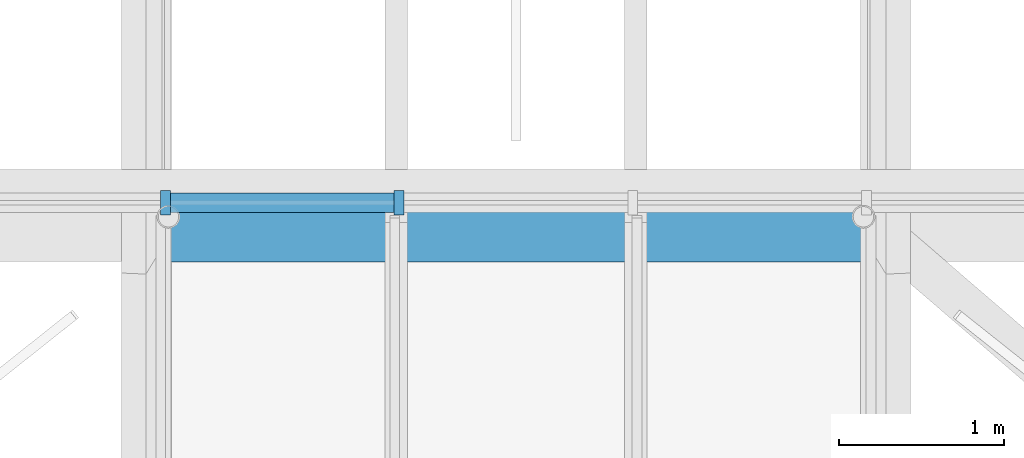
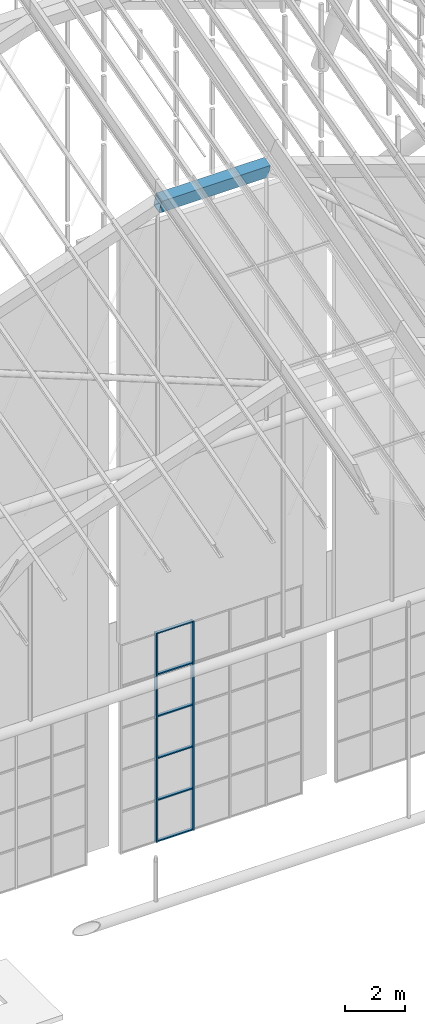
# One storey, part 57 of 126: 8 members, 1 beam, 1 element without a shape of its own.
"""IFC4 building model written with IfcOpenShell, lengths in metres."""

from ifc_helpers import new_model, si_unit, direction, frame, origin, origin_2d, place, context, subcontext, project, spatial, polyline, rectangle, outline, extrude, material, material_profile, profile_set, type_object, element, aggregate, save


model = new_model("IFC4")

# Units and contexts
model_context = context("Model", 3, precision=1e-05, world=origin(), true_north=direction((0.0, 1.0)))
body_context = subcontext(model_context, "Body", "Model", "MODEL_VIEW")
ifc_project = project(units=[si_unit("LENGTHUNIT", "METRE"), si_unit("AREAUNIT", "SQUARE_METRE"), si_unit("VOLUMEUNIT", "CUBIC_METRE"), si_unit("PLANEANGLEUNIT", "RADIAN"), si_unit("MASSUNIT", "GRAM", prefix="KILO")], contexts=[model_context])

# Site, building, storey
site_placement = place(None, origin())
site = spatial("IfcSite", under=ifc_project, at=site_placement, CompositionType="ELEMENT")
building_placement = place(site_placement, origin())
building = spatial("IfcBuilding", under=site, at=building_placement, Name="Sava Quay Ferry Terminal", CompositionType="ELEMENT")
storey_placement = place(building_placement, frame((0.0, 0.0, 15.0)))
storey = spatial("IfcBuildingStorey", under=building, at=storey_placement, Name="L03", CompositionType="ELEMENT", Elevation=15.0)

# Beam
ifc_material_1 = material(Name="Steel S355", Category="steel")
ifc_material_profile_1 = material_profile(ifc_material_1, outline(polyline([(-0.199951171875, -0.300048828125), (0.199951171875, -0.300048828125), (0.199951171875, 0.300048828125), (-0.199951171875, 0.300048828125), (-0.199951171875, -0.300048828125)]), holes=[polyline([(-0.175048828125, -0.27490234375), (-0.175048828125, 0.27490234375), (0.175048828125, 0.27490234375), (0.175048828125, -0.27490234375), (-0.175048828125, -0.27490234375)])]), Name="Box 600x400x25 built-up")
ifc_profile_set_1 = profile_set([ifc_material_profile_1], Name="Steel S355")
beam_type = type_object("IfcBeamType", Name="D folded rib Box 600x400x25", PredefinedType="BEAM", material=ifc_profile_set_1)
beam_placement = place(storey_placement, frame((60.89990234375, 100.800048828125, 26.122314453125), z_axis=(1.0, 0.0, 0.0), x_axis=(0.0, 0.964556832817, 0.263875190699)))
element("IfcBeam", 1, at=beam_placement, inside=storey, type_object=beam_type, Name="Departure hall folded rib R6 seg 3", PredefinedType="BEAM", context=body_context, shape_type="SweptSolid", body=[
    extrude(outline(polyline([(-0.199951171875, -0.300048828125), (0.199951171875, -0.300048828125), (0.199951171875, 0.300048828125), (-0.199951171875, 0.300048828125), (-0.199951171875, -0.300048828125)]), holes=[polyline([(-0.175048828125, -0.27490234375), (-0.175048828125, 0.27490234375), (0.175048828125, 0.27490234375), (0.175048828125, -0.27490234375), (-0.175048828125, -0.27490234375)])]), origin(), (0.0, 0.0, 1.0), 4.2001953125),
])

# Curtain wall, members
ifc_material_2 = material(Name="Aluminium and glass curtain wall, double low-e glazed", Category="aluminium")
curtain_wall_type = type_object("IfcCurtainWallType", Name="Curtain wall CW-G gable", PredefinedType="NOTDEFINED", material=ifc_material_2)
curtain_wall_placement = place(storey_placement, origin())
curtain_wall = element("IfcCurtainWall", 2, at=curtain_wall_placement, inside=storey, type_object=curtain_wall_type, Name="Curtain wall D-N L03 bay 31", PredefinedType="NOTDEFINED")
ifc_material_3 = material(Name="Aluminium EN AW-6063 T6", Category="aluminium")
ifc_material_profile_2 = material_profile(ifc_material_3, rectangle(XDim=0.14990234375, YDim=0.06005859375, at=origin_2d()), Name="Mullion 60x150 aluminium")
ifc_profile_set_2 = profile_set([ifc_material_profile_2], Name="Aluminium EN AW-6063 T6")
member_type_1 = type_object("IfcMemberType", Name="Mullion 60x150 aluminium", PredefinedType="MULLION", material=ifc_profile_set_2)
member_1_placement = place(storey_placement, frame((60.882080078125, 100.885009765625, 0.0), z_axis=(0.0, 0.0, 1.0), x_axis=(0.0, 1.0, 0.0)))
member_1 = element("IfcMember", 3, at=member_1_placement, type_object=member_type_1, Name="CW72 mullion 2", PredefinedType="MULLION", context=body_context, shape_type="SweptSolid", body=[
    extrude(rectangle(XDim=0.14990234375, YDim=0.06005859375, at=origin_2d()), origin(), (0.0, 0.0, 1.0), 8.550048828125),
])
member_2_placement = place(storey_placement, frame((62.2939453125, 100.885009765625, 0.0), z_axis=(0.0, 0.0, 1.0), x_axis=(0.0, 1.0, 0.0)))
member_2 = element("IfcMember", 4, at=member_2_placement, type_object=member_type_1, Name="CW72 mullion 3", PredefinedType="MULLION", context=body_context, shape_type="SweptSolid", body=[
    extrude(rectangle(XDim=0.14990234375, YDim=0.06005859375, at=origin_2d()), origin(), (0.0, 0.0, 1.0), 8.550048828125),
])
ifc_material_4 = material(Name="Aluminium EN AW-6063 T6", Category="aluminium")
ifc_material_profile_3 = material_profile(ifc_material_4, rectangle(XDim=0.1201171875, YDim=0.050048828125, at=origin_2d()), Name="Transom 50x120 aluminium")
ifc_profile_set_3 = profile_set([ifc_material_profile_3], Name="Aluminium EN AW-6063 T6")
member_type_2 = type_object("IfcMemberType", Name="Transom 50x120 aluminium", PredefinedType="USERDEFINED", material=ifc_profile_set_3)
member_3_placement = place(storey_placement, frame((60.912109375, 100.885009765625, 0.02490234375), z_axis=(1.0, 0.0, 0.0), x_axis=(0.0, 1.0, 0.0)))
member_3 = element("IfcMember", 5, at=member_3_placement, type_object=member_type_2, Name="CW72 transom 2.1", ObjectType="TRANSOM", PredefinedType="USERDEFINED", context=body_context, shape_type="SweptSolid", body=[
    extrude(rectangle(XDim=0.1201171875, YDim=0.050048828125, at=origin_2d()), origin(), (0.0, 0.0, 1.0), 1.351806640625),
])
member_4_placement = place(storey_placement, frame((60.912109375, 100.885009765625, 1.7099609375), z_axis=(1.0, 0.0, 0.0), x_axis=(0.0, 1.0, 0.0)))
member_4 = element("IfcMember", 6, at=member_4_placement, type_object=member_type_2, Name="CW72 transom 2.2", ObjectType="TRANSOM", PredefinedType="USERDEFINED", context=body_context, shape_type="SweptSolid", body=[
    extrude(rectangle(XDim=0.1201171875, YDim=0.050048828125, at=origin_2d()), origin(), (0.0, 0.0, 1.0), 1.351806640625),
])
member_5_placement = place(storey_placement, frame((60.912109375, 100.885009765625, 3.419921875), z_axis=(1.0, 0.0, 0.0), x_axis=(0.0, 1.0, 0.0)))
member_5 = element("IfcMember", 7, at=member_5_placement, type_object=member_type_2, Name="CW72 transom 2.3", ObjectType="TRANSOM", PredefinedType="USERDEFINED", context=body_context, shape_type="SweptSolid", body=[
    extrude(rectangle(XDim=0.1201171875, YDim=0.050048828125, at=origin_2d()), origin(), (0.0, 0.0, 1.0), 1.351806640625),
])
member_6_placement = place(storey_placement, frame((60.912109375, 100.885009765625, 5.1298828125), z_axis=(1.0, 0.0, 0.0), x_axis=(0.0, 1.0, 0.0)))
member_6 = element("IfcMember", 8, at=member_6_placement, type_object=member_type_2, Name="CW72 transom 2.4", ObjectType="TRANSOM", PredefinedType="USERDEFINED", context=body_context, shape_type="SweptSolid", body=[
    extrude(rectangle(XDim=0.1201171875, YDim=0.050048828125, at=origin_2d()), origin(), (0.0, 0.0, 1.0), 1.351806640625),
])
member_7_placement = place(storey_placement, frame((60.912109375, 100.885009765625, 6.840087890625), z_axis=(1.0, 0.0, 0.0), x_axis=(0.0, 1.0, 0.0)))
member_7 = element("IfcMember", 9, at=member_7_placement, type_object=member_type_2, Name="CW72 transom 2.5", ObjectType="TRANSOM", PredefinedType="USERDEFINED", context=body_context, shape_type="SweptSolid", body=[
    extrude(rectangle(XDim=0.1201171875, YDim=0.050048828125, at=origin_2d()), origin(), (0.0, 0.0, 1.0), 1.351806640625),
])
member_8_placement = place(storey_placement, frame((60.912109375, 100.885009765625, 8.52490234375), z_axis=(1.0, 0.0, 0.0), x_axis=(0.0, 1.0, 0.0)))
member_8 = element("IfcMember", 10, at=member_8_placement, type_object=member_type_2, Name="CW72 transom 2.6", ObjectType="TRANSOM", PredefinedType="USERDEFINED", context=body_context, shape_type="SweptSolid", body=[
    extrude(rectangle(XDim=0.1201171875, YDim=0.050048828125, at=origin_2d()), origin(), (0.0, 0.0, 1.0), 1.351806640625),
])
aggregate(curtain_wall, [member_1, member_2, member_3, member_4, member_5, member_6, member_7, member_8])

save(model, "model.ifc")
